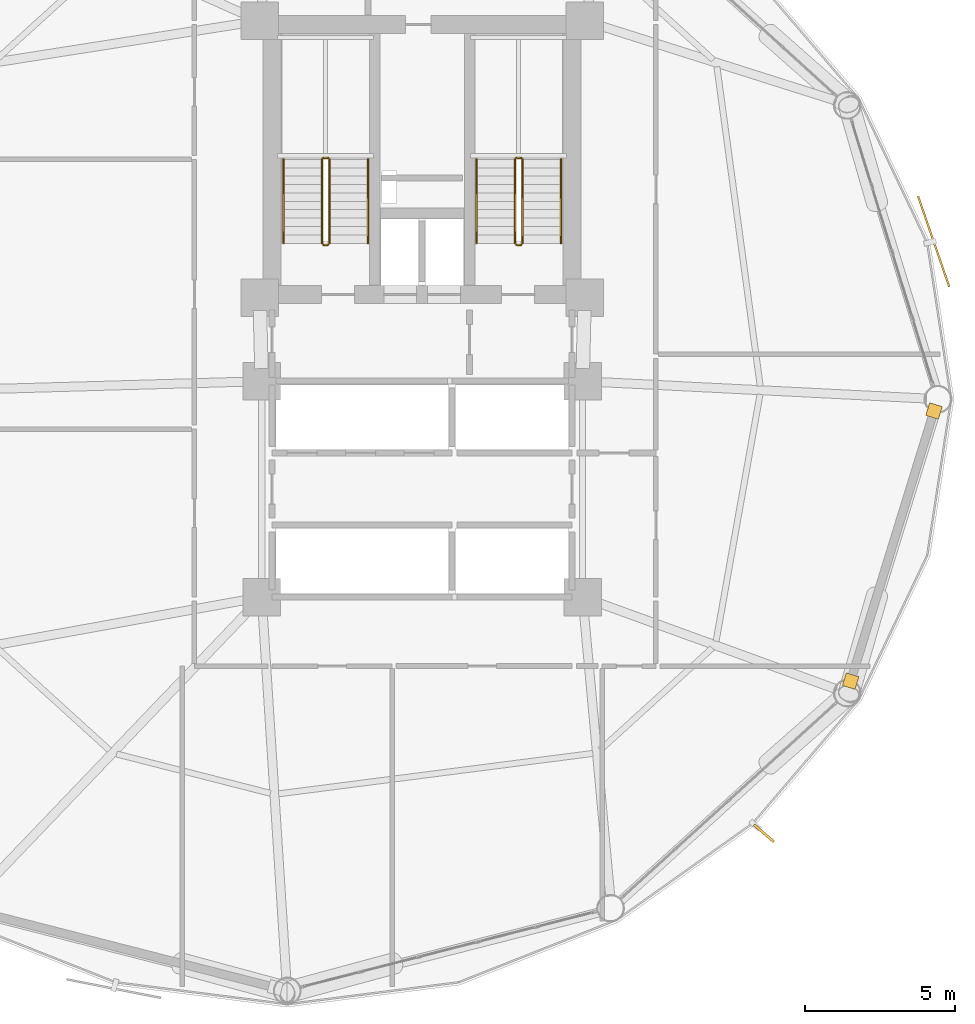
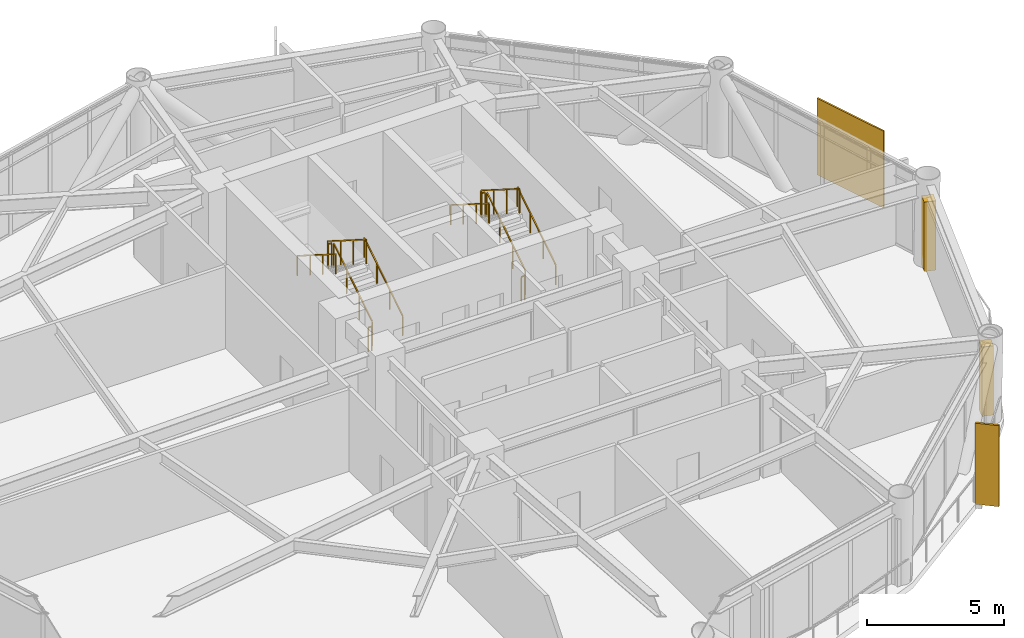
# One storey, part 24 of 25: 12 railings, 2 coverings, 2 shading devices.
"""IFC4 building model written with IfcOpenShell, lengths in metres."""

from ifc_helpers import new_model, si_unit, direction, frame, origin, origin_2d, place, context, subcontext, project, spatial, rectangle, extrude, source, transform, mapped, material, layer, layer_set, type_object, type_shapes, element, save


model = new_model("IFC4")

# Units and contexts
model_context = context("Model", 3, precision=1e-05, world=origin(), true_north=direction((0.0, 1.0)))
body_context = subcontext(model_context, "Body", "Model", "MODEL_VIEW")
ifc_project = project(units=[si_unit("LENGTHUNIT", "METRE"), si_unit("AREAUNIT", "SQUARE_METRE"), si_unit("VOLUMEUNIT", "CUBIC_METRE"), si_unit("PLANEANGLEUNIT", "RADIAN"), si_unit("MASSUNIT", "GRAM", prefix="KILO")], contexts=[model_context])

# Site, building, storey
site_placement = place(None, origin())
site = spatial("IfcSite", under=ifc_project, at=site_placement, CompositionType="ELEMENT")
building_placement = place(site_placement, origin())
building = spatial("IfcBuilding", under=site, at=building_placement, Name="Varnakorn Sky Granary", CompositionType="ELEMENT")
storey_placement = place(building_placement, frame((0.0, 0.0, 70.5)))
storey = spatial("IfcBuildingStorey", under=building, at=storey_placement, Name="L17", CompositionType="ELEMENT", Elevation=70.5)

# Railings
ifc_material_1 = material(Name="Brushed Stainless Steel 316", Category="steel")
railing_type_1 = type_object("IfcRailingType", Name="RL-STAIR-1100", PredefinedType="GUARDRAIL", material=ifc_material_1)
railing_1_placement = place(storey_placement, frame((-0.090087890625, 5.199951171875, 0.17724609375)))
element("IfcRailing", 1, at=railing_1_placement, inside=storey, type_object=railing_type_1, Name="L17 ST-1 stair guard 1", PredefinedType="GUARDRAIL", context=body_context, shape_type="SweptSolid", body=[
    extrude(rectangle(XDim=0.048095703125, YDim=0.048095703125, at=origin_2d()), frame((0.0, 0.0, 1.076171875), z_axis=(0.0, 0.844908973607, 0.534910110503), x_axis=(-1.0, 0.0, 0.0)), (0.0, 0.0, 1.0), 3.31396484375),
    extrude(rectangle(XDim=0.0419921875, YDim=0.0419921875, at=origin_2d()), origin(), (0.0, 0.0, 1.0), 1.048095703125),
    extrude(rectangle(XDim=0.0419921875, YDim=0.0419921875, at=origin_2d()), frame((0.0, 0.933349609375, 0.5908203125)), (0.0, 0.0, 1.0), 1.048095703125),
    extrude(rectangle(XDim=0.0419921875, YDim=0.0419921875, at=origin_2d()), frame((0.0, 1.86669921875, 1.181884765625)), (0.0, 0.0, 1.0), 1.048095703125),
    extrude(rectangle(XDim=0.0419921875, YDim=0.0419921875, at=origin_2d()), frame((0.0, 2.800048828125, 1.772705078125)), (0.0, 0.0, 1.0), 1.048095703125),
])
railing_2_placement = place(storey_placement, frame((-0.139892578125, 8.050048828125, 1.949951171875)))
element("IfcRailing", 2, at=railing_2_placement, inside=storey, type_object=railing_type_1, Name="L17 ST-1 stair guard 2", PredefinedType="GUARDRAIL", context=body_context, shape_type="SweptSolid", body=[
    extrude(rectangle(XDim=0.048095703125, YDim=0.048095703125, at=origin_2d()), frame((0.0, 0.0, 1.076171875), z_axis=(-1.0, 0.0, 0.0), x_axis=(0.0, -1.0, 0.0)), (0.0, 0.0, 1.0), 0.150146484375),
    extrude(rectangle(XDim=0.0419921875, YDim=0.0419921875, at=origin_2d()), origin(), (0.0, 0.0, 1.0), 1.048095703125),
    extrude(rectangle(XDim=0.0419921875, YDim=0.0419921875, at=origin_2d()), frame((-0.150146484375, 0.0, 0.0)), (0.0, 0.0, 1.0), 1.048095703125),
])
railing_3_placement = place(storey_placement, frame((-0.340087890625, 8.0, 2.127197265625)))
element("IfcRailing", 3, at=railing_3_placement, inside=storey, type_object=railing_type_1, Name="L17 ST-1 stair guard 3", PredefinedType="GUARDRAIL", context=body_context, shape_type="SweptSolid", body=[
    extrude(rectangle(XDim=0.048095703125, YDim=0.048095703125, at=origin_2d()), frame((0.0, 0.0, 1.076171875), z_axis=(0.0, -0.844908973607, 0.534910110503), x_axis=(1.0, 0.0, 0.0)), (0.0, 0.0, 1.0), 3.31396484375),
    extrude(rectangle(XDim=0.0419921875, YDim=0.0419921875, at=origin_2d()), origin(), (0.0, 0.0, 1.0), 1.048095703125),
    extrude(rectangle(XDim=0.0419921875, YDim=0.0419921875, at=origin_2d()), frame((0.0, -0.933349609375, 0.5908203125)), (0.0, 0.0, 1.0), 1.048095703125),
    extrude(rectangle(XDim=0.0419921875, YDim=0.0419921875, at=origin_2d()), frame((0.0, -1.86669921875, 1.181884765625)), (0.0, 0.0, 1.0), 1.048095703125),
    extrude(rectangle(XDim=0.0419921875, YDim=0.0419921875, at=origin_2d()), frame((0.0, -2.800048828125, 1.772705078125)), (0.0, 0.0, 1.0), 1.048095703125),
])
railing_4_placement = place(storey_placement, frame((-0.139892578125, 5.14990234375, 0.0)))
element("IfcRailing", 4, at=railing_4_placement, inside=storey, type_object=railing_type_1, Name="L17 ST-1 stair guard 4", PredefinedType="GUARDRAIL", context=body_context, shape_type="SweptSolid", body=[
    extrude(rectangle(XDim=0.048095703125, YDim=0.048095703125, at=origin_2d()), frame((0.0, 0.0, 1.076171875), z_axis=(-1.0, 0.0, 0.0), x_axis=(0.0, -1.0, 0.0)), (0.0, 0.0, 1.0), 0.150146484375),
    extrude(rectangle(XDim=0.0419921875, YDim=0.0419921875, at=origin_2d()), origin(), (0.0, 0.0, 1.0), 1.048095703125),
    extrude(rectangle(XDim=0.0419921875, YDim=0.0419921875, at=origin_2d()), frame((-0.150146484375, 0.0, 0.0)), (0.0, 0.0, 1.0), 1.048095703125),
])
railing_5_placement = place(storey_placement, frame((6.35009765625, 5.199951171875, 0.17724609375)))
element("IfcRailing", 5, at=railing_5_placement, inside=storey, type_object=railing_type_1, Name="L17 ST-2 stair guard 1", PredefinedType="GUARDRAIL", context=body_context, shape_type="SweptSolid", body=[
    extrude(rectangle(XDim=0.048095703125, YDim=0.048095703125, at=origin_2d()), frame((0.0, 0.0, 1.076171875), z_axis=(0.0, 0.844908973607, 0.534910110503), x_axis=(-1.0, 0.0, 0.0)), (0.0, 0.0, 1.0), 3.31396484375),
    extrude(rectangle(XDim=0.0419921875, YDim=0.0419921875, at=origin_2d()), origin(), (0.0, 0.0, 1.0), 1.048095703125),
    extrude(rectangle(XDim=0.0419921875, YDim=0.0419921875, at=origin_2d()), frame((0.0, 0.933349609375, 0.5908203125)), (0.0, 0.0, 1.0), 1.048095703125),
    extrude(rectangle(XDim=0.0419921875, YDim=0.0419921875, at=origin_2d()), frame((0.0, 1.86669921875, 1.181884765625)), (0.0, 0.0, 1.0), 1.048095703125),
    extrude(rectangle(XDim=0.0419921875, YDim=0.0419921875, at=origin_2d()), frame((0.0, 2.800048828125, 1.772705078125)), (0.0, 0.0, 1.0), 1.048095703125),
])
railing_6_placement = place(storey_placement, frame((6.300048828125, 8.050048828125, 1.949951171875)))
element("IfcRailing", 6, at=railing_6_placement, inside=storey, type_object=railing_type_1, Name="L17 ST-2 stair guard 2", PredefinedType="GUARDRAIL", context=body_context, shape_type="SweptSolid", body=[
    extrude(rectangle(XDim=0.048095703125, YDim=0.048095703125, at=origin_2d()), frame((0.0, 0.0, 1.076171875), z_axis=(-1.0, 0.0, 0.0), x_axis=(0.0, -1.0, 0.0)), (0.0, 0.0, 1.0), 0.150146484375),
    extrude(rectangle(XDim=0.0419921875, YDim=0.0419921875, at=origin_2d()), origin(), (0.0, 0.0, 1.0), 1.048095703125),
    extrude(rectangle(XDim=0.0419921875, YDim=0.0419921875, at=origin_2d()), frame((-0.150146484375, 0.0, 0.0)), (0.0, 0.0, 1.0), 1.048095703125),
])
railing_7_placement = place(storey_placement, frame((6.10009765625, 8.0, 2.127197265625)))
element("IfcRailing", 7, at=railing_7_placement, inside=storey, type_object=railing_type_1, Name="L17 ST-2 stair guard 3", PredefinedType="GUARDRAIL", context=body_context, shape_type="SweptSolid", body=[
    extrude(rectangle(XDim=0.048095703125, YDim=0.048095703125, at=origin_2d()), frame((0.0, 0.0, 1.076171875), z_axis=(0.0, -0.844908973607, 0.534910110503), x_axis=(1.0, 0.0, 0.0)), (0.0, 0.0, 1.0), 3.31396484375),
    extrude(rectangle(XDim=0.0419921875, YDim=0.0419921875, at=origin_2d()), origin(), (0.0, 0.0, 1.0), 1.048095703125),
    extrude(rectangle(XDim=0.0419921875, YDim=0.0419921875, at=origin_2d()), frame((0.0, -0.933349609375, 0.5908203125)), (0.0, 0.0, 1.0), 1.048095703125),
    extrude(rectangle(XDim=0.0419921875, YDim=0.0419921875, at=origin_2d()), frame((0.0, -1.86669921875, 1.181884765625)), (0.0, 0.0, 1.0), 1.048095703125),
    extrude(rectangle(XDim=0.0419921875, YDim=0.0419921875, at=origin_2d()), frame((0.0, -2.800048828125, 1.772705078125)), (0.0, 0.0, 1.0), 1.048095703125),
])
railing_8_placement = place(storey_placement, frame((6.300048828125, 5.14990234375, 0.0)))
element("IfcRailing", 8, at=railing_8_placement, inside=storey, type_object=railing_type_1, Name="L17 ST-2 stair guard 4", PredefinedType="GUARDRAIL", context=body_context, shape_type="SweptSolid", body=[
    extrude(rectangle(XDim=0.048095703125, YDim=0.048095703125, at=origin_2d()), frame((0.0, 0.0, 1.076171875), z_axis=(-1.0, 0.0, 0.0), x_axis=(0.0, -1.0, 0.0)), (0.0, 0.0, 1.0), 0.150146484375),
    extrude(rectangle(XDim=0.0419921875, YDim=0.0419921875, at=origin_2d()), origin(), (0.0, 0.0, 1.0), 1.048095703125),
    extrude(rectangle(XDim=0.0419921875, YDim=0.0419921875, at=origin_2d()), frame((-0.150146484375, 0.0, 0.0)), (0.0, 0.0, 1.0), 1.048095703125),
])
railing_type_2 = type_object("IfcRailingType", Name="RL-STAIR-920", PredefinedType="HANDRAIL", material=ifc_material_1)
railing_9_placement = place(storey_placement, frame((1.18994140625, 5.199951171875, 0.17724609375)))
element("IfcRailing", 9, at=railing_9_placement, inside=storey, type_object=railing_type_2, Name="L17 ST-1 stair handrail 1", PredefinedType="HANDRAIL", context=body_context, shape_type="SweptSolid", body=[
    extrude(rectangle(XDim=0.048095703125, YDim=0.048095703125, at=origin_2d()), frame((0.0, 0.0, 0.8759765625), z_axis=(0.0, 0.844908973607, 0.534910110503), x_axis=(-1.0, 0.0, 0.0)), (0.0, 0.0, 1.0), 3.31396484375),
    extrude(rectangle(XDim=0.0419921875, YDim=0.0419921875, at=origin_2d()), origin(), (0.0, 0.0, 1.0), 0.847900390625),
    extrude(rectangle(XDim=0.0419921875, YDim=0.0419921875, at=origin_2d()), frame((0.0, 0.933349609375, 0.5908203125)), (0.0, 0.0, 1.0), 0.847900390625),
    extrude(rectangle(XDim=0.0419921875, YDim=0.0419921875, at=origin_2d()), frame((0.0, 1.86669921875, 1.181884765625)), (0.0, 0.0, 1.0), 0.847900390625),
    extrude(rectangle(XDim=0.0419921875, YDim=0.0419921875, at=origin_2d()), frame((0.0, 2.800048828125, 1.772705078125)), (0.0, 0.0, 1.0), 0.847900390625),
])
railing_10_placement = place(storey_placement, frame((-1.6201171875, 8.0, 2.127197265625)))
element("IfcRailing", 10, at=railing_10_placement, inside=storey, type_object=railing_type_2, Name="L17 ST-1 stair handrail 2", PredefinedType="HANDRAIL", context=body_context, shape_type="SweptSolid", body=[
    extrude(rectangle(XDim=0.048095703125, YDim=0.048095703125, at=origin_2d()), frame((0.0, 0.0, 0.8759765625), z_axis=(0.0, -0.844908973607, 0.534910110503), x_axis=(1.0, 0.0, 0.0)), (0.0, 0.0, 1.0), 3.31396484375),
    extrude(rectangle(XDim=0.0419921875, YDim=0.0419921875, at=origin_2d()), origin(), (0.0, 0.0, 1.0), 0.847900390625),
    extrude(rectangle(XDim=0.0419921875, YDim=0.0419921875, at=origin_2d()), frame((0.0, -0.933349609375, 0.5908203125)), (0.0, 0.0, 1.0), 0.847900390625),
    extrude(rectangle(XDim=0.0419921875, YDim=0.0419921875, at=origin_2d()), frame((0.0, -1.86669921875, 1.181884765625)), (0.0, 0.0, 1.0), 0.847900390625),
    extrude(rectangle(XDim=0.0419921875, YDim=0.0419921875, at=origin_2d()), frame((0.0, -2.800048828125, 1.772705078125)), (0.0, 0.0, 1.0), 0.847900390625),
])
railing_11_placement = place(storey_placement, frame((7.6298828125, 5.199951171875, 0.17724609375)))
element("IfcRailing", 11, at=railing_11_placement, inside=storey, type_object=railing_type_2, Name="L17 ST-2 stair handrail 1", PredefinedType="HANDRAIL", context=body_context, shape_type="SweptSolid", body=[
    extrude(rectangle(XDim=0.048095703125, YDim=0.048095703125, at=origin_2d()), frame((0.0, 0.0, 0.8759765625), z_axis=(0.0, 0.844908973607, 0.534910110503), x_axis=(-1.0, 0.0, 0.0)), (0.0, 0.0, 1.0), 3.31396484375),
    extrude(rectangle(XDim=0.0419921875, YDim=0.0419921875, at=origin_2d()), origin(), (0.0, 0.0, 1.0), 0.847900390625),
    extrude(rectangle(XDim=0.0419921875, YDim=0.0419921875, at=origin_2d()), frame((0.0, 0.933349609375, 0.5908203125)), (0.0, 0.0, 1.0), 0.847900390625),
    extrude(rectangle(XDim=0.0419921875, YDim=0.0419921875, at=origin_2d()), frame((0.0, 1.86669921875, 1.181884765625)), (0.0, 0.0, 1.0), 0.847900390625),
    extrude(rectangle(XDim=0.0419921875, YDim=0.0419921875, at=origin_2d()), frame((0.0, 2.800048828125, 1.772705078125)), (0.0, 0.0, 1.0), 0.847900390625),
])
railing_12_placement = place(storey_placement, frame((4.820068359375, 8.0, 2.127197265625)))
element("IfcRailing", 12, at=railing_12_placement, inside=storey, type_object=railing_type_2, Name="L17 ST-2 stair handrail 2", PredefinedType="HANDRAIL", context=body_context, shape_type="SweptSolid", body=[
    extrude(rectangle(XDim=0.048095703125, YDim=0.048095703125, at=origin_2d()), frame((0.0, 0.0, 0.8759765625), z_axis=(0.0, -0.844908973607, 0.534910110503), x_axis=(1.0, 0.0, 0.0)), (0.0, 0.0, 1.0), 3.31396484375),
    extrude(rectangle(XDim=0.0419921875, YDim=0.0419921875, at=origin_2d()), origin(), (0.0, 0.0, 1.0), 0.847900390625),
    extrude(rectangle(XDim=0.0419921875, YDim=0.0419921875, at=origin_2d()), frame((0.0, -0.933349609375, 0.5908203125)), (0.0, 0.0, 1.0), 0.847900390625),
    extrude(rectangle(XDim=0.0419921875, YDim=0.0419921875, at=origin_2d()), frame((0.0, -1.86669921875, 1.181884765625)), (0.0, 0.0, 1.0), 0.847900390625),
    extrude(rectangle(XDim=0.0419921875, YDim=0.0419921875, at=origin_2d()), frame((0.0, -2.800048828125, 1.772705078125)), (0.0, 0.0, 1.0), 0.847900390625),
])

# Shading device
ifc_material_2 = material(Name="Anodised Bronze Aluminium Alloy 6063-T6", Category="aluminium")
shading_device_type_1 = type_object("IfcShadingDeviceType", Name="SH-FIN-01", PredefinedType="USERDEFINED", material=ifc_material_2)
shared_shape_1 = source(origin(), body_context, "Body", "SweptSolid", [
    extrude(rectangle(XDim=0.0849609375, YDim=0.8798828125, at=origin_2d()), origin(), (0.0, 0.0, 1.0), 3.60009765625),
])
type_shapes(shading_device_type_1, [shared_shape_1])
shading_device_1_placement = place(storey_placement, frame((14.4013671875, -14.477294921875, -0.0400390625), z_axis=(0.0, 0.0, 1.0), x_axis=(0.653681042812, 0.756770172686, 0.0)))
element("IfcShadingDevice", 13, at=shading_device_1_placement, inside=storey, type_object=shading_device_type_1, Name="Bronze Solar-Tracking Vertical Blade FIN L17-11", ObjectType="FIN", PredefinedType="USERDEFINED", context=body_context, shape_type="MappedRepresentation", body=[
    mapped(shared_shape_1, transform((0.0, 0.0, 0.0), x_axis=(1.0, 0.0, 0.0), y_axis=(0.0, 1.0, 0.0), z_axis=(0.0, 0.0, 1.0), scale=1.0)),
])

# Coverings
ifc_layer = layer(ifc_material_2, 0.050048828125, Name="Anodised Bronze Aluminium Alloy 6063-T6")
ifc_layer_set = layer_set([ifc_layer], Name="Anodised Bronze Aluminium Alloy 6063-T6")
covering_type = type_object("IfcCoveringType", Name="CV-CLAD-50", PredefinedType="CLADDING", material=ifc_layer_set)
shared_shape_2 = source(origin(), body_context, "Body", "SweptSolid", [
    extrude(rectangle(XDim=0.43994140625, YDim=0.43994140625, at=origin_2d()), origin(), (0.0, 0.0, 1.0), 3.080078125),
])
type_shapes(covering_type, [shared_shape_2])
for number, where, z_axis, x_axis, name in (
    (14, (20.072509765625, -0.393798828125, -0.02001953125), (0.0, 0.0, 1.0), (-0.294874299918, -0.955536052301, 0.0), "Bronze Corner Pilaster Closure L17-P12-A"),
    (15, (17.2919921875, -9.4033203125, -0.02001953125), (0.0, 0.0, 1.0), (-0.294874299918, -0.955536052301, 0.0), "Bronze Corner Pilaster Closure L17-P12-B"),
):
    element("IfcCovering", number, at=place(storey_placement, frame(where, z_axis=z_axis, x_axis=x_axis)), inside=storey, type_object=covering_type, Name=name, PredefinedType="CLADDING", context=body_context, shape_type="MappedRepresentation", body=[
        mapped(shared_shape_2, transform((0.0, 0.0, 0.0), x_axis=(1.0, 0.0, 0.0), y_axis=(0.0, 1.0, 0.0), z_axis=(0.0, 0.0, 1.0), scale=1.0)),
    ])

# Shading device
shading_device_type_2 = type_object("IfcShadingDeviceType", Name="SH-SCR-01", PredefinedType="USERDEFINED", material=ifc_material_2)
shared_shape_3 = source(origin(), body_context, "Body", "SweptSolid", [
    extrude(rectangle(XDim=3.199951171875, YDim=0.06494140625, at=origin_2d()), origin(), (0.0, 0.0, 1.0), 3.39990234375),
])
type_shapes(shading_device_type_2, [shared_shape_3])
shading_device_2_placement = place(storey_placement, frame((20.059814453125, 5.2626953125, -0.0400390625), z_axis=(0.0, 0.0, 1.0), x_axis=(-0.325036354895, 0.945701521621, 0.0)))
element("IfcShadingDevice", 16, at=shading_device_2_placement, inside=storey, type_object=shading_device_type_2, Name="Perforated Bronze Solar Screen Panel SCREEN L17-01", ObjectType="SCREEN", PredefinedType="USERDEFINED", context=body_context, shape_type="MappedRepresentation", body=[
    mapped(shared_shape_3, transform((0.0, 0.0, 0.0), x_axis=(1.0, 0.0, 0.0), y_axis=(0.0, 1.0, 0.0), z_axis=(0.0, 0.0, 1.0), scale=1.0)),
])

save(model, "model.ifc")
